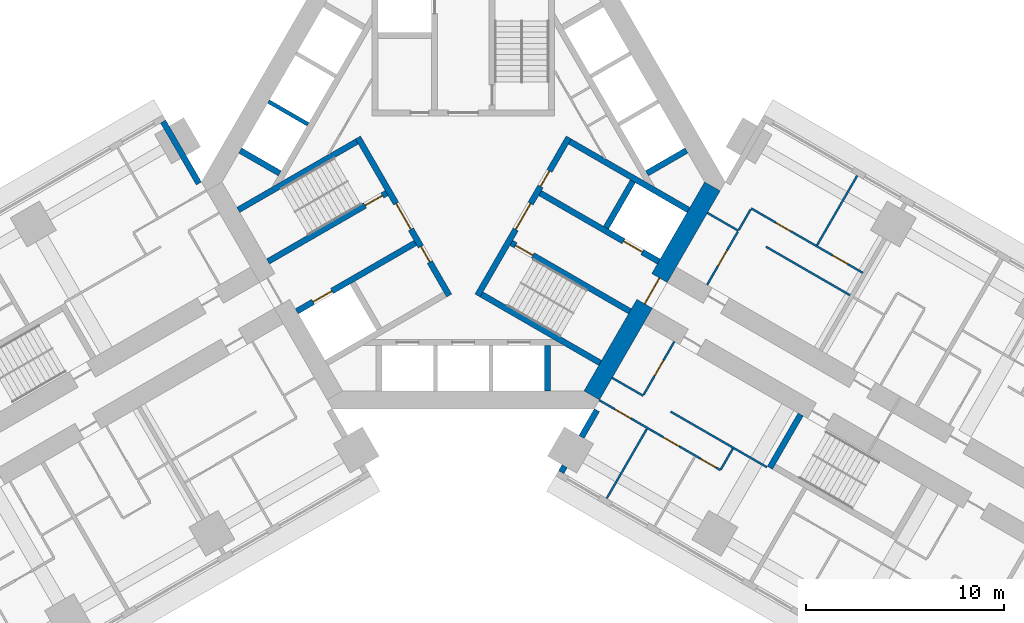
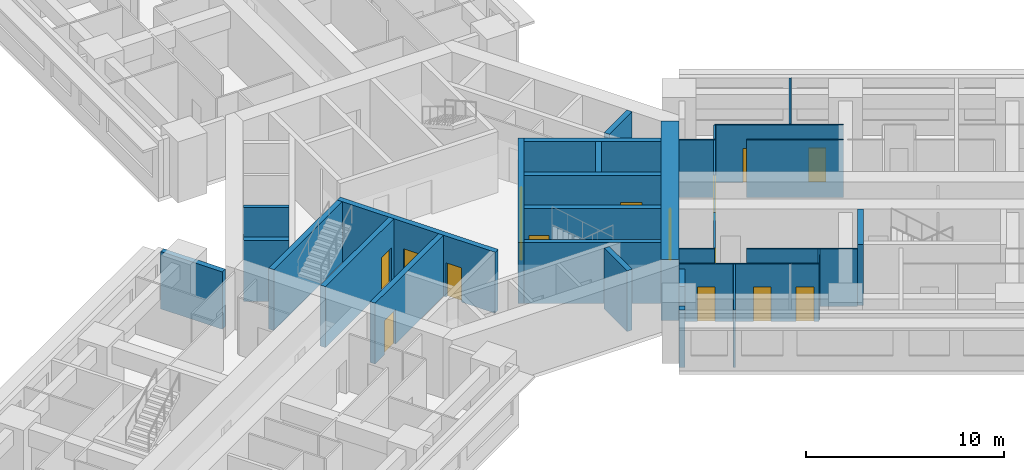
# One storey, part 7 of 16: 31 walls, 16 doors, 16 openings.
"""IFC4 building model written with IfcOpenShell, lengths in metres."""

from ifc_helpers import new_model, si_unit, direction, frame, frame_2d, origin, place, context, subcontext, project, spatial, rectangle, extrude, material, layer, layer_set, type_object, element, fill, save


model = new_model("IFC4")

# Units and contexts
model_context = context("Model", 3, precision=1e-05, world=origin(), true_north=direction((0.0, 1.0)))
body_context = subcontext(model_context, "Body", "Model", "MODEL_VIEW")
ifc_project = project(units=[si_unit("LENGTHUNIT", "METRE"), si_unit("AREAUNIT", "SQUARE_METRE"), si_unit("VOLUMEUNIT", "CUBIC_METRE"), si_unit("PLANEANGLEUNIT", "RADIAN"), si_unit("MASSUNIT", "GRAM", prefix="KILO")], contexts=[model_context])

# Site, building, storey
site_placement = place(None, origin())
site = spatial("IfcSite", under=ifc_project, at=site_placement, CompositionType="ELEMENT")
building_placement = place(site_placement, origin())
building = spatial("IfcBuilding", under=site, at=building_placement, Name="Impinga Residences", CompositionType="ELEMENT")
storey_placement = place(building_placement, frame((0.0, 0.0, 48.5)))
storey = spatial("IfcBuildingStorey", under=building, at=storey_placement, Name="L11", CompositionType="ELEMENT", Elevation=48.5)

# Walls
ifc_material_1 = material(Name="Terracotta rainscreen on blockwork", Category="masonry")
ifc_layer_1 = layer(ifc_material_1, 0.300048828125)
ifc_layer_set_1 = layer_set([ifc_layer_1], Name="EW1 external wall, terracotta rainscreen on blockwork 300")
wall_type_1 = type_object("IfcWallType", Name="EW1 external wall, terracotta rainscreen on blockwork 300", PredefinedType="SOLIDWALL", material=ifc_layer_set_1)
wall_1_placement = place(storey_placement, frame((-15.1298828125, 3.042724609375, 0.0), z_axis=(0.0, 0.0, 1.0), x_axis=(0.500012057535, -0.866018442252, 0.0)))
element("IfcWall", 1, at=wall_1_placement, inside=storey, type_object=wall_type_1, Name="External wall EW1 L11", PredefinedType="SOLIDWALL", context=body_context, shape_type="SweptSolid", body=[
    extrude(rectangle(XDim=3.60009765625, YDim=0.300048828125, at=frame_2d((1.800048828125, 0.0))), origin(), (0.0, 0.0, 1.0), 3.530029296875),
])
wall_2_placement = place(storey_placement, frame((4.929931640625, -14.624267578125, 0.0), z_axis=(0.0, 0.0, 1.0), x_axis=(0.49996389635, 0.866046247233, 0.0)))
element("IfcWall", 2, at=wall_2_placement, inside=storey, type_object=wall_type_1, Name="External wall EW1 L11", PredefinedType="SOLIDWALL", context=body_context, shape_type="SweptSolid", body=[
    extrude(rectangle(XDim=0.35009765625, YDim=0.300048828125, at=frame_2d((0.175048828125, 0.0))), origin(), (0.0, 0.0, 1.0), 3.530029296875),
])
wall_3_placement = place(storey_placement, frame((5.954833984375, -12.848876953125, 0.0), z_axis=(0.0, 0.0, 1.0), x_axis=(0.500086022567, 0.865975732936, 0.0)))
element("IfcWall", 3, at=wall_3_placement, inside=storey, type_object=wall_type_1, Name="External wall EW1 L11", PredefinedType="SOLIDWALL", context=body_context, shape_type="SweptSolid", body=[
    extrude(rectangle(XDim=1.550048828125, YDim=0.300048828125, at=frame_2d((0.77490234375, 0.0))), origin(), (0.0, 0.0, 1.0), 3.530029296875),
])
ifc_material_2 = material(Name="Gypsum board on steel studs", Category="steel")
ifc_layer_2 = layer(ifc_material_2, 0.10009765625)
ifc_layer_set_2 = layer_set([ifc_layer_2], Name="Gypsum board on steel studs")
wall_type_2 = type_object("IfcWallType", Name="IP1 partition 100", PredefinedType="PARTITIONING", material=ifc_layer_set_2)
wall_4_placement = place(storey_placement, frame((12.300048828125, -1.558837890625, 0.0), z_axis=(0.0, 0.0, 1.0), x_axis=(0.866047807691, -0.499961193289, 0.0)))
element("IfcWall", 4, at=wall_4_placement, inside=storey, type_object=wall_type_2, Name="Partition L11-EA1:DIV0", PredefinedType="PARTITIONING", context=body_context, shape_type="SweptSolid", body=[
    extrude(rectangle(XDim=1.800048828125, YDim=0.10009765625, at=frame_2d((0.89990234375, 0.0))), origin(), (0.0, 0.0, 1.0), 3.530029296875),
])
wall_5_placement = place(storey_placement, frame((15.244384765625, -3.2587890625, 0.0), z_axis=(0.0, 0.0, 1.0), x_axis=(0.866036242063, -0.49998122708, 0.0)))
element("IfcWall", 5, at=wall_5_placement, inside=storey, type_object=wall_type_2, Name="Partition L11-EA1:DIV1", PredefinedType="PARTITIONING", context=body_context, shape_type="SweptSolid", body=[
    extrude(rectangle(XDim=4.900146484375, YDim=0.10009765625, at=frame_2d((2.4501953125, 0.0))), origin(), (0.0, 0.0, 1.0), 3.530029296875),
])

# Wall, openings, doors
wall_6_placement = place(storey_placement, frame((14.5087890625, -1.3330078125, 0.0), z_axis=(0.0, 0.0, 1.0), x_axis=(0.866024837091, -0.50000098154, 0.0)))
wall_6 = element("IfcWall", 6, at=wall_6_placement, inside=storey, type_object=wall_type_2, Name="Partition L11-EA1:STRIP", PredefinedType="PARTITIONING", context=body_context, shape_type="SweptSolid", body=[
    extrude(rectangle(XDim=6.5, YDim=0.10009765625, at=frame_2d((3.25, 0.0))), origin(), (0.0, 0.0, 1.0), 3.530029296875),
])
opening_1_placement = place(wall_6_placement, frame((1.425048828125, 0.0, 0.0)))
opening_1 = element("IfcOpeningElement", 7, at=opening_1_placement, cuts=wall_6, Name="Opening D2", PredefinedType="OPENING", context=body_context, shape_type="SweptSolid", body=[
    extrude(rectangle(XDim=0.89990234375, YDim=2.10009765625, at=frame_2d((0.449951171875, 1.050048828125))), frame((0.0, 0.06005859375, 0.0), z_axis=(0.0, -1.0, 0.0), x_axis=(1.0, 0.0, 0.0)), (0.0, 0.0, 1.0), 0.1201171875),
])
opening_2_placement = place(wall_6_placement, frame((4.72509765625, 0.0, 0.0)))
opening_2 = element("IfcOpeningElement", 8, at=opening_2_placement, cuts=wall_6, Name="Opening D2", PredefinedType="OPENING", context=body_context, shape_type="SweptSolid", body=[
    extrude(rectangle(XDim=0.89990234375, YDim=2.10009765625, at=frame_2d((0.449951171875, 1.050048828125))), frame((0.0, 0.06005859375, 0.0), z_axis=(0.0, -1.0, 0.0), x_axis=(1.0, 0.0, 0.0)), (0.0, 0.0, 1.0), 0.1201171875),
])
ifc_material_3 = material(Name="Timber door set", Category="wood")
door_type_1 = type_object("IfcDoorType", Name="D2 internal door 900x2100", OperationType="SINGLE_SWING_LEFT", PredefinedType="DOOR", material=ifc_material_3)
door_1_placement = place(opening_1_placement, origin())
door_1 = element("IfcDoor", 9, at=door_1_placement, inside=storey, type_object=door_type_1, Name="Apartment L11-EA1 room door", OperationType="SINGLE_SWING_LEFT", OverallHeight=2.10009765625, OverallWidth=0.89990234375, PredefinedType="DOOR", context=body_context, shape_type="SweptSolid", body=[
    extrude(rectangle(XDim=0.89990234375, YDim=2.10009765625, at=frame_2d((0.449951171875, 1.050048828125))), frame((0.0, 0.02490234375, 0.0), z_axis=(0.0, -1.0, 0.0), x_axis=(1.0, 0.0, 0.0)), (0.0, 0.0, 1.0), 0.050048828125),
])
fill(opening_1, door_1)
door_2_placement = place(opening_2_placement, origin())
door_2 = element("IfcDoor", 10, at=door_2_placement, inside=storey, type_object=door_type_1, Name="Apartment L11-EA1 room door", OperationType="SINGLE_SWING_RIGHT", OverallHeight=2.10009765625, OverallWidth=0.89990234375, PredefinedType="DOOR", context=body_context, shape_type="SweptSolid", body=[
    extrude(rectangle(XDim=0.89990234375, YDim=2.10009765625, at=frame_2d((0.449951171875, 1.050048828125))), frame((0.0, 0.02490234375, 0.0), z_axis=(0.0, -1.0, 0.0), x_axis=(1.0, 0.0, 0.0)), (0.0, 0.0, 1.0), 0.050048828125),
])
fill(opening_2, door_2)

# Wall
wall_7_placement = place(storey_placement, frame((13.8837890625, -2.41552734375, 0.0), z_axis=(0.0, 0.0, 1.0), x_axis=(0.500033551112, 0.866006032174, 0.0)))
element("IfcWall", 11, at=wall_7_placement, inside=storey, type_object=wall_type_2, Name="Partition L11-EA1:SE0", PredefinedType="PARTITIONING", context=body_context, shape_type="SweptSolid", body=[
    extrude(rectangle(XDim=1.2001953125, YDim=0.10009765625, at=frame_2d((0.60009765625, 0.0))), origin(), (0.0, 0.0, 1.0), 3.530029296875),
])

# Wall, opening, door
wall_8_placement = place(storey_placement, frame((12.283935546875, -5.186767578125, 0.0), z_axis=(0.0, 0.0, 1.0), x_axis=(0.499967891604, 0.866043940782, 0.0)))
wall_8 = element("IfcWall", 12, at=wall_8_placement, inside=storey, type_object=wall_type_2, Name="Partition L11-EA1:IB1", PredefinedType="PARTITIONING", context=body_context, shape_type="SweptSolid", body=[
    extrude(rectangle(XDim=3.099853515625, YDim=0.10009765625, at=frame_2d((1.5498046875, 0.0))), origin(), (0.0, 0.0, 1.0), 3.530029296875),
])
opening_3_placement = place(wall_8_placement, frame((1.10009765625, 0.0, 0.0)))
opening_3 = element("IfcOpeningElement", 13, at=opening_3_placement, cuts=wall_8, Name="Opening D2", PredefinedType="OPENING", context=body_context, shape_type="SweptSolid", body=[
    extrude(rectangle(XDim=0.89990234375, YDim=2.10009765625, at=frame_2d((0.449951171875, 1.050048828125))), frame((0.0, 0.06005859375, 0.0), z_axis=(0.0, -1.0, 0.0), x_axis=(1.0, 0.0, 0.0)), (0.0, 0.0, 1.0), 0.1201171875),
])
door_3_placement = place(opening_3_placement, origin())
door_3 = element("IfcDoor", 14, at=door_3_placement, inside=storey, type_object=door_type_1, Name="Apartment L11-EA1 bathroom door", OperationType="SINGLE_SWING_LEFT", OverallHeight=2.10009765625, OverallWidth=0.89990234375, PredefinedType="DOOR", context=body_context, shape_type="SweptSolid", body=[
    extrude(rectangle(XDim=0.89990234375, YDim=2.10009765625, at=frame_2d((0.449951171875, 1.050048828125))), frame((0.0, 0.02490234375, 0.0), z_axis=(0.0, -1.0, 0.0), x_axis=(1.0, 0.0, 0.0)), (0.0, 0.0, 1.0), 0.050048828125),
])
fill(opening_3, door_3)

# Walls
wall_9_placement = place(storey_placement, frame((17.82470703125, -3.189697265625, 0.0), z_axis=(0.0, 0.0, 1.0), x_axis=(0.500035537042, 0.866004885491, 0.0)))
element("IfcWall", 15, at=wall_9_placement, inside=storey, type_object=wall_type_2, Name="Partition L11-EA1:OB1", PredefinedType="PARTITIONING", context=body_context, shape_type="SweptSolid", body=[
    extrude(rectangle(XDim=4.050048828125, YDim=0.10009765625, at=frame_2d((2.02490234375, 0.0))), origin(), (0.0, 0.0, 1.0), 3.530029296875),
])
wall_10_placement = place(storey_placement, frame((7.5, -9.872802734375, 0.0), z_axis=(0.0, 0.0, 1.0), x_axis=(0.866047807691, -0.499961193289, 0.0)))
element("IfcWall", 16, at=wall_10_placement, inside=storey, type_object=wall_type_2, Name="Partition L11-EF1:DIV0", PredefinedType="PARTITIONING", context=body_context, shape_type="SweptSolid", body=[
    extrude(rectangle(XDim=1.800048828125, YDim=0.10009765625, at=frame_2d((0.89990234375, 0.0))), origin(), (0.0, 0.0, 1.0), 3.530029296875),
])
wall_11_placement = place(storey_placement, frame((10.444580078125, -11.57275390625, 0.0), z_axis=(0.0, 0.0, 1.0), x_axis=(0.866015695474, -0.500016814911, 0.0)))
element("IfcWall", 17, at=wall_11_placement, inside=storey, type_object=wall_type_2, Name="Partition L11-EF1:DIV1", PredefinedType="PARTITIONING", context=body_context, shape_type="SweptSolid", body=[
    extrude(rectangle(XDim=5.599853515625, YDim=0.10009765625, at=frame_2d((2.7998046875, 0.0))), origin(), (0.0, 0.0, 1.0), 3.530029296875),
])

# Wall, openings, doors
wall_12_placement = place(storey_placement, frame((6.85009765625, -10.99853515625, 0.0), z_axis=(0.0, 0.0, 1.0), x_axis=(0.866031034943, -0.499990246421, 0.0)))
wall_12 = element("IfcWall", 18, at=wall_12_placement, inside=storey, type_object=wall_type_2, Name="Partition L11-EF1:STRIP", PredefinedType="PARTITIONING", context=body_context, shape_type="SweptSolid", body=[
    extrude(rectangle(XDim=7.050048828125, YDim=0.10009765625, at=frame_2d((3.52490234375, 0.0))), origin(), (0.0, 0.0, 1.0), 3.530029296875),
])
opening_4_placement = place(wall_12_placement, frame((0.925048828125, 0.0, 0.0)))
opening_4 = element("IfcOpeningElement", 19, at=opening_4_placement, cuts=wall_12, Name="Opening D2", PredefinedType="OPENING", context=body_context, shape_type="SweptSolid", body=[
    extrude(rectangle(XDim=0.89990234375, YDim=2.10009765625, at=frame_2d((0.449951171875, 1.050048828125))), frame((0.0, 0.06005859375, 0.0), z_axis=(0.0, -1.0, 0.0), x_axis=(1.0, 0.0, 0.0)), (0.0, 0.0, 1.0), 0.1201171875),
])
opening_5_placement = place(wall_12_placement, frame((3.75, 0.0, 0.0)))
opening_5 = element("IfcOpeningElement", 20, at=opening_5_placement, cuts=wall_12, Name="Opening D2", PredefinedType="OPENING", context=body_context, shape_type="SweptSolid", body=[
    extrude(rectangle(XDim=0.89990234375, YDim=2.10009765625, at=frame_2d((0.449951171875, 1.050048828125))), frame((0.0, 0.06005859375, 0.0), z_axis=(0.0, -1.0, 0.0), x_axis=(1.0, 0.0, 0.0)), (0.0, 0.0, 1.0), 0.1201171875),
])
opening_6_placement = place(wall_12_placement, frame((5.89990234375, 0.0, 0.0)))
opening_6 = element("IfcOpeningElement", 21, at=opening_6_placement, cuts=wall_12, Name="Opening D2", PredefinedType="OPENING", context=body_context, shape_type="SweptSolid", body=[
    extrude(rectangle(XDim=0.89990234375, YDim=2.10009765625, at=frame_2d((0.449951171875, 1.050048828125))), frame((0.0, 0.06005859375, 0.0), z_axis=(0.0, -1.0, 0.0), x_axis=(1.0, 0.0, 0.0)), (0.0, 0.0, 1.0), 0.1201171875),
])
door_4_placement = place(opening_4_placement, origin())
door_4 = element("IfcDoor", 22, at=door_4_placement, inside=storey, type_object=door_type_1, Name="Apartment L11-EF1 room door", OperationType="SINGLE_SWING_LEFT", OverallHeight=2.10009765625, OverallWidth=0.89990234375, PredefinedType="DOOR", context=body_context, shape_type="SweptSolid", body=[
    extrude(rectangle(XDim=0.89990234375, YDim=2.10009765625, at=frame_2d((0.449951171875, 1.050048828125))), frame((0.0, 0.02490234375, 0.0), z_axis=(0.0, -1.0, 0.0), x_axis=(1.0, 0.0, 0.0)), (0.0, 0.0, 1.0), 0.050048828125),
])
fill(opening_4, door_4)
door_5_placement = place(opening_5_placement, origin())
door_5 = element("IfcDoor", 23, at=door_5_placement, inside=storey, type_object=door_type_1, Name="Apartment L11-EF1 room door", OperationType="SINGLE_SWING_RIGHT", OverallHeight=2.10009765625, OverallWidth=0.89990234375, PredefinedType="DOOR", context=body_context, shape_type="SweptSolid", body=[
    extrude(rectangle(XDim=0.89990234375, YDim=2.10009765625, at=frame_2d((0.449951171875, 1.050048828125))), frame((0.0, 0.02490234375, 0.0), z_axis=(0.0, -1.0, 0.0), x_axis=(1.0, 0.0, 0.0)), (0.0, 0.0, 1.0), 0.050048828125),
])
fill(opening_5, door_5)
door_6_placement = place(opening_6_placement, origin())
door_6 = element("IfcDoor", 24, at=door_6_placement, inside=storey, type_object=door_type_1, Name="Apartment L11-EF1 room door", OperationType="SINGLE_SWING_RIGHT", OverallHeight=2.10009765625, OverallWidth=0.89990234375, PredefinedType="DOOR", context=body_context, shape_type="SweptSolid", body=[
    extrude(rectangle(XDim=0.89990234375, YDim=2.10009765625, at=frame_2d((0.449951171875, 1.050048828125))), frame((0.0, 0.02490234375, 0.0), z_axis=(0.0, -1.0, 0.0), x_axis=(1.0, 0.0, 0.0)), (0.0, 0.0, 1.0), 0.050048828125),
])
fill(opening_6, door_6)

# Wall
wall_13_placement = place(storey_placement, frame((13.58056640625, -13.44091796875, 0.0), z_axis=(0.0, 0.0, 1.0), x_axis=(-0.500033551112, -0.866006032174, 0.0)))
element("IfcWall", 25, at=wall_13_placement, inside=storey, type_object=wall_type_2, Name="Partition L11-EF1:SE1", PredefinedType="PARTITIONING", context=body_context, shape_type="SweptSolid", body=[
    extrude(rectangle(XDim=1.2001953125, YDim=0.10009765625, at=frame_2d((0.60009765625, 0.0))), origin(), (0.0, 0.0, 1.0), 3.530029296875),
])

# Wall, opening, door
wall_14_placement = place(storey_placement, frame((10.6337890625, -8.044677734375, 0.0), z_axis=(0.0, 0.0, 1.0), x_axis=(-0.49999285859, -0.86602952684, 0.0)))
wall_14 = element("IfcWall", 26, at=wall_14_placement, inside=storey, type_object=wall_type_2, Name="Partition L11-EF1:IB1", PredefinedType="PARTITIONING", context=body_context, shape_type="SweptSolid", body=[
    extrude(rectangle(XDim=3.10009765625, YDim=0.10009765625, at=frame_2d((1.550048828125, 0.0))), origin(), (0.0, 0.0, 1.0), 3.530029296875),
])
opening_7_placement = place(wall_14_placement, frame((1.10009765625, 0.0, 0.0)))
opening_7 = element("IfcOpeningElement", 27, at=opening_7_placement, cuts=wall_14, Name="Opening D2", PredefinedType="OPENING", context=body_context, shape_type="SweptSolid", body=[
    extrude(rectangle(XDim=0.89990234375, YDim=2.10009765625, at=frame_2d((0.449951171875, 1.050048828125))), frame((0.0, 0.06005859375, 0.0), z_axis=(0.0, -1.0, 0.0), x_axis=(1.0, 0.0, 0.0)), (0.0, 0.0, 1.0), 0.1201171875),
])
door_7_placement = place(opening_7_placement, origin())
door_7 = element("IfcDoor", 28, at=door_7_placement, inside=storey, type_object=door_type_1, Name="Apartment L11-EF1 bathroom door", OperationType="SINGLE_SWING_LEFT", OverallHeight=2.10009765625, OverallWidth=0.89990234375, PredefinedType="DOOR", context=body_context, shape_type="SweptSolid", body=[
    extrude(rectangle(XDim=0.89990234375, YDim=2.10009765625, at=frame_2d((0.449951171875, 1.050048828125))), frame((0.0, 0.02490234375, 0.0), z_axis=(0.0, -1.0, 0.0), x_axis=(1.0, 0.0, 0.0)), (0.0, 0.0, 1.0), 0.050048828125),
])
fill(opening_7, door_7)

# Walls
wall_15_placement = place(storey_placement, frame((9.249755859375, -12.44189453125, 0.0), z_axis=(0.0, 0.0, 1.0), x_axis=(-0.499990325971, -0.866030989016, 0.0)))
element("IfcWall", 29, at=wall_15_placement, inside=storey, type_object=wall_type_2, Name="Partition L11-EF1:OB1", PredefinedType="PARTITIONING", context=body_context, shape_type="SweptSolid", body=[
    extrude(rectangle(XDim=4.0498046875, YDim=0.10009765625, at=frame_2d((2.02490234375, 0.0))), origin(), (0.0, 0.0, 1.0), 3.530029296875),
])
ifc_material_4 = material(Name="Concrete C60/75", Category="concrete")
ifc_layer_3 = layer(ifc_material_4, 0.300048828125)
ifc_layer_set_3 = layer_set([ifc_layer_3], Name="Concrete C60/75")
wall_type_3 = type_object("IfcWallType", Name="SE1 wing stair enclosure wall 300", PredefinedType="SOLIDWALL", material=ifc_layer_set_3)
wall_16_placement = place(storey_placement, frame((16.9990234375, -11.7197265625, 0.0), z_axis=(0.0, 0.0, 1.0), x_axis=(-0.499967891604, -0.866043940782, 0.0)))
element("IfcWall", 30, at=wall_16_placement, inside=storey, type_object=wall_type_3, Name="Stair enclosure wall SE1 E END0 L11", PredefinedType="SOLIDWALL", context=body_context, shape_type="SweptSolid", body=[
    extrude(rectangle(XDim=3.099853515625, YDim=0.300048828125, at=frame_2d((1.5498046875, 0.0))), origin(), (0.0, 0.0, 1.0), 3.75),
])

# Wall, opening, door
ifc_material_5 = material(Name="Concrete C70/85", Category="concrete")
ifc_layer_4 = layer(ifc_material_5, 0.89990234375)
ifc_layer_set_4 = layer_set([ifc_layer_4], Name="Concrete C70/85")
wall_type_4 = type_object("IfcWallType", Name="SW1 core wall 900", PredefinedType="SHEAR", material=ifc_layer_set_4)
wall_17_placement = place(storey_placement, frame((12.550537109375, -0.22509765625, 0.0), z_axis=(0.0, 0.0, 1.0), x_axis=(-0.499997612506, -0.8660267822, 0.0)))
wall_17 = element("IfcWall", 31, at=wall_17_placement, inside=storey, type_object=wall_type_4, Name="Core wall SW1 E:FACE L11", PredefinedType="SHEAR", context=body_context, shape_type="SweptSolid", body=[
    extrude(rectangle(XDim=12.16064453125, YDim=0.89990234375, at=frame_2d((6.080322265625, 0.0))), origin(), (0.0, 0.0, 1.0), 3.75),
])
opening_8_placement = place(wall_17_placement, frame((5.330322265625, 0.0, 0.0)))
opening_8 = element("IfcOpeningElement", 32, at=opening_8_placement, cuts=wall_17, Name="Opening D4", PredefinedType="OPENING", context=body_context, shape_type="SweptSolid", body=[
    extrude(rectangle(XDim=1.5, YDim=2.10009765625, at=frame_2d((0.75, 1.050048828125))), frame((0.0, 0.4599609375, 0.0), z_axis=(0.0, -1.0, 0.0), x_axis=(1.0, 0.0, 0.0)), (0.0, 0.0, 1.0), 0.919921875),
])
door_type_2 = type_object("IfcDoorType", Name="D4 lobby door pair 1500x2100", OperationType="DOUBLE_DOOR_DOUBLE_SWING", PredefinedType="DOOR", material=ifc_material_3)
door_8_placement = place(opening_8_placement, origin())
door_8 = element("IfcDoor", 33, at=door_8_placement, inside=storey, type_object=door_type_2, Name="Lobby door E", OperationType="DOUBLE_DOOR_DOUBLE_SWING", OverallHeight=2.10009765625, OverallWidth=1.5, PredefinedType="DOOR", context=body_context, shape_type="SweptSolid", body=[
    extrude(rectangle(XDim=1.5, YDim=2.10009765625, at=frame_2d((0.75, 1.050048828125))), frame((0.0, 0.02490234375, 0.0), z_axis=(0.0, -1.0, 0.0), x_axis=(1.0, 0.0, 0.0)), (0.0, 0.0, 1.0), 0.050048828125),
])
fill(opening_8, door_8)

# Wall, openings, doors
ifc_layer_5 = layer(ifc_material_5, 0.300048828125)
ifc_layer_set_5 = layer_set([ifc_layer_5], Name="Concrete C70/85")
wall_type_5 = type_object("IfcWallType", Name="SW5 core inner wall, stairs, shafts and lobbies 300", PredefinedType="SHEAR", material=ifc_layer_set_5)
wall_18_placement = place(storey_placement, frame((-0.7138671875, -5.7236328125, 0.0), z_axis=(0.0, 0.0, 1.0), x_axis=(-0.499995050369, 0.866028261437, 0.0)))
wall_18 = element("IfcWall", 34, at=wall_18_placement, inside=storey, type_object=wall_type_5, Name="Core wall SW5 W:ZONE L11", PredefinedType="SHEAR", context=body_context, shape_type="SweptSolid", body=[
    extrude(rectangle(XDim=9.19970703125, YDim=0.300048828125, at=frame_2d((4.599853515625, 0.0))), origin(), (0.0, 0.0, 1.0), 3.75),
])
opening_9_placement = place(wall_18_placement, frame((3.85009765625, 0.0, 0.0)))
opening_9 = element("IfcOpeningElement", 35, at=opening_9_placement, cuts=wall_18, Name="Opening D4", PredefinedType="OPENING", context=body_context, shape_type="SweptSolid", body=[
    extrude(rectangle(XDim=1.5, YDim=2.10009765625, at=frame_2d((0.75, 1.050048828125))), frame((0.0, 0.159912109375, 0.0), z_axis=(0.0, -1.0, 0.0), x_axis=(1.0, 0.0, 0.0)), (0.0, 0.0, 1.0), 0.320068359375),
])
opening_10_placement = place(wall_18_placement, frame((1.949951171875, 0.0, 0.0)))
opening_10 = element("IfcOpeningElement", 36, at=opening_10_placement, cuts=wall_18, Name="Opening D6", PredefinedType="OPENING", context=body_context, shape_type="SweptSolid", body=[
    extrude(rectangle(XDim=0.89990234375, YDim=2.10009765625, at=frame_2d((0.449951171875, 1.050048828125))), frame((0.0, 0.159912109375, 0.0), z_axis=(0.0, -1.0, 0.0), x_axis=(1.0, 0.0, 0.0)), (0.0, 0.0, 1.0), 0.320068359375),
])
door_9_placement = place(opening_9_placement, origin())
door_9 = element("IfcDoor", 37, at=door_9_placement, inside=storey, type_object=door_type_2, Name="Firefighting lobby door W", OperationType="DOUBLE_DOOR_DOUBLE_SWING", OverallHeight=2.10009765625, OverallWidth=1.5, PredefinedType="DOOR", context=body_context, shape_type="SweptSolid", body=[
    extrude(rectangle(XDim=1.5, YDim=2.10009765625, at=frame_2d((0.75, 1.050048828125))), frame((0.0, 0.02490234375, 0.0), z_axis=(0.0, -1.0, 0.0), x_axis=(1.0, 0.0, 0.0)), (0.0, 0.0, 1.0), 0.050048828125),
])
fill(opening_9, door_9)
door_type_3 = type_object("IfcDoorType", Name="D6 riser and store door 900x2100", OperationType="SINGLE_SWING_LEFT", PredefinedType="DOOR", material=ifc_material_3)
door_10_placement = place(opening_10_placement, origin())
door_10 = element("IfcDoor", 38, at=door_10_placement, inside=storey, type_object=door_type_3, Name="Riser door W", OperationType="SINGLE_SWING_LEFT", OverallHeight=2.10009765625, OverallWidth=0.89990234375, PredefinedType="DOOR", context=body_context, shape_type="SweptSolid", body=[
    extrude(rectangle(XDim=0.89990234375, YDim=2.10009765625, at=frame_2d((0.449951171875, 1.050048828125))), frame((0.0, 0.02490234375, 0.0), z_axis=(0.0, -1.0, 0.0), x_axis=(1.0, 0.0, 0.0)), (0.0, 0.0, 1.0), 0.050048828125),
])
fill(opening_10, door_10)

# Wall, opening, door
wall_19_placement = place(storey_placement, frame((-3.86865234375, -0.559326171875, 0.0), z_axis=(0.0, 0.0, 1.0), x_axis=(-0.86602711848, -0.499997030048, 0.0)))
wall_19 = element("IfcWall", 39, at=wall_19_placement, inside=storey, type_object=wall_type_5, Name="Core wall SW5 W:ST-IN L11", PredefinedType="SHEAR", context=body_context, shape_type="SweptSolid", body=[
    extrude(rectangle(XDim=6.9013671875, YDim=0.300048828125, at=frame_2d((3.45068359375, 0.0))), origin(), (0.0, 0.0, 1.0), 3.75),
])
opening_11_placement = place(wall_19_placement, frame((0.25, 0.0, 0.0)))
opening_11 = element("IfcOpeningElement", 40, at=opening_11_placement, cuts=wall_19, Name="Opening D5", PredefinedType="OPENING", context=body_context, shape_type="SweptSolid", body=[
    extrude(rectangle(XDim=1.0, YDim=2.10009765625, at=frame_2d((0.5, 1.050048828125))), frame((0.0, 0.159912109375, 0.0), z_axis=(0.0, -1.0, 0.0), x_axis=(1.0, 0.0, 0.0)), (0.0, 0.0, 1.0), 0.320068359375),
])
door_type_4 = type_object("IfcDoorType", Name="D5 stair door 1000x2100", OperationType="SINGLE_SWING_LEFT", PredefinedType="DOOR", material=ifc_material_3)
door_11_placement = place(opening_11_placement, origin())
door_11 = element("IfcDoor", 41, at=door_11_placement, inside=storey, type_object=door_type_4, Name="Stair door W", OperationType="SINGLE_SWING_LEFT", OverallHeight=2.10009765625, OverallWidth=1.0, PredefinedType="DOOR", context=body_context, shape_type="SweptSolid", body=[
    extrude(rectangle(XDim=1.0, YDim=2.10009765625, at=frame_2d((0.5, 1.050048828125))), frame((0.0, 0.02490234375, 0.0), z_axis=(0.0, -1.0, 0.0), x_axis=(1.0, 0.0, 0.0)), (0.0, 0.0, 1.0), 0.050048828125),
])
fill(opening_11, door_11)

# Wall
wall_20_placement = place(storey_placement, frame((-5.36865234375, 2.038818359375, 0.0), z_axis=(0.0, 0.0, 1.0), x_axis=(-0.86602711848, -0.499997030048, 0.0)))
element("IfcWall", 42, at=wall_20_placement, inside=storey, type_object=wall_type_5, Name="Core wall SW5 W:ST-OUT L11", PredefinedType="SHEAR", context=body_context, shape_type="SweptSolid", body=[
    extrude(rectangle(XDim=6.9013671875, YDim=0.300048828125, at=frame_2d((3.45068359375, 0.0))), origin(), (0.0, 0.0, 1.0), 3.75),
])

# Wall, opening, door
wall_21_placement = place(storey_placement, frame((-2.418701171875, -3.07080078125, 0.0), z_axis=(0.0, 0.0, 1.0), x_axis=(-0.86602711848, -0.499997030048, 0.0)))
wall_21 = element("IfcWall", 43, at=wall_21_placement, inside=storey, type_object=wall_type_5, Name="Core wall SW5 W:FF-IN L11", PredefinedType="SHEAR", context=body_context, shape_type="SweptSolid", body=[
    extrude(rectangle(XDim=6.9013671875, YDim=0.300048828125, at=frame_2d((3.45068359375, 0.0))), origin(), (0.0, 0.0, 1.0), 3.75),
])
opening_12_placement = place(wall_21_placement, frame((4.85009765625, 0.0, 0.0)))
opening_12 = element("IfcOpeningElement", 44, at=opening_12_placement, cuts=wall_21, Name="Opening LD2", PredefinedType="OPENING", context=body_context, shape_type="SweptSolid", body=[
    extrude(rectangle(XDim=1.10009765625, YDim=2.10009765625, at=frame_2d((0.550048828125, 1.050048828125))), frame((0.0, 0.159912109375, 0.0), z_axis=(0.0, -1.0, 0.0), x_axis=(1.0, 0.0, 0.0)), (0.0, 0.0, 1.0), 0.320068359375),
])
ifc_material_6 = material(Name="Steel lift landing door", Category="steel")
door_type_5 = type_object("IfcDoorType", Name="LD2 firefighting lift landing door 1100x2100", OperationType="DOUBLE_DOOR_SLIDING", PredefinedType="DOOR", material=ifc_material_6)
door_12_placement = place(opening_12_placement, origin())
door_12 = element("IfcDoor", 45, at=door_12_placement, inside=storey, type_object=door_type_5, Name="Firefighting lift landing door F2", OperationType="DOUBLE_DOOR_SLIDING", OverallHeight=2.10009765625, OverallWidth=1.10009765625, PredefinedType="DOOR", context=body_context, shape_type="SweptSolid", body=[
    extrude(rectangle(XDim=1.10009765625, YDim=2.10009765625, at=frame_2d((0.550048828125, 1.050048828125))), frame((0.0, 0.02490234375, 0.0), z_axis=(0.0, -1.0, 0.0), x_axis=(1.0, 0.0, 0.0)), (0.0, 0.0, 1.0), 0.050048828125),
])
fill(opening_12, door_12)

# Wall, openings, doors
wall_22_placement = place(storey_placement, frame((5.313720703125, 2.24365234375, 0.0), z_axis=(0.0, 0.0, 1.0), x_axis=(-0.499995050369, -0.866028261437, 0.0)))
wall_22 = element("IfcWall", 46, at=wall_22_placement, inside=storey, type_object=wall_type_5, Name="Core wall SW5 E:ZONE L11", PredefinedType="SHEAR", context=body_context, shape_type="SweptSolid", body=[
    extrude(rectangle(XDim=9.19970703125, YDim=0.300048828125, at=frame_2d((4.599853515625, 0.0))), origin(), (0.0, 0.0, 1.0), 3.75),
])
opening_13_placement = place(wall_22_placement, frame((3.85009765625, 0.0, 0.0)))
opening_13 = element("IfcOpeningElement", 47, at=opening_13_placement, cuts=wall_22, Name="Opening D4", PredefinedType="OPENING", context=body_context, shape_type="SweptSolid", body=[
    extrude(rectangle(XDim=1.5, YDim=2.10009765625, at=frame_2d((0.75, 1.050048828125))), frame((0.0, 0.159912109375, 0.0), z_axis=(0.0, -1.0, 0.0), x_axis=(1.0, 0.0, 0.0)), (0.0, 0.0, 1.0), 0.320068359375),
])
opening_14_placement = place(wall_22_placement, frame((1.949951171875, 0.0, 0.0)))
opening_14 = element("IfcOpeningElement", 48, at=opening_14_placement, cuts=wall_22, Name="Opening D6", PredefinedType="OPENING", context=body_context, shape_type="SweptSolid", body=[
    extrude(rectangle(XDim=0.89990234375, YDim=2.10009765625, at=frame_2d((0.449951171875, 1.050048828125))), frame((0.0, 0.159912109375, 0.0), z_axis=(0.0, -1.0, 0.0), x_axis=(1.0, 0.0, 0.0)), (0.0, 0.0, 1.0), 0.320068359375),
])
door_13_placement = place(opening_13_placement, origin())
door_13 = element("IfcDoor", 49, at=door_13_placement, inside=storey, type_object=door_type_2, Name="Firefighting lobby door E", OperationType="DOUBLE_DOOR_DOUBLE_SWING", OverallHeight=2.10009765625, OverallWidth=1.5, PredefinedType="DOOR", context=body_context, shape_type="SweptSolid", body=[
    extrude(rectangle(XDim=1.5, YDim=2.10009765625, at=frame_2d((0.75, 1.050048828125))), frame((0.0, 0.02490234375, 0.0), z_axis=(0.0, -1.0, 0.0), x_axis=(1.0, 0.0, 0.0)), (0.0, 0.0, 1.0), 0.050048828125),
])
fill(opening_13, door_13)
door_14_placement = place(opening_14_placement, origin())
door_14 = element("IfcDoor", 50, at=door_14_placement, inside=storey, type_object=door_type_3, Name="Riser door E", OperationType="SINGLE_SWING_LEFT", OverallHeight=2.10009765625, OverallWidth=0.89990234375, PredefinedType="DOOR", context=body_context, shape_type="SweptSolid", body=[
    extrude(rectangle(XDim=0.89990234375, YDim=2.10009765625, at=frame_2d((0.449951171875, 1.050048828125))), frame((0.0, 0.02490234375, 0.0), z_axis=(0.0, -1.0, 0.0), x_axis=(1.0, 0.0, 0.0)), (0.0, 0.0, 1.0), 0.050048828125),
])
fill(opening_14, door_14)

# Wall, opening, door
wall_23_placement = place(storey_placement, frame((2.418701171875, -3.07080078125, 0.0), z_axis=(0.0, 0.0, 1.0), x_axis=(0.86602711848, -0.499997030048, 0.0)))
wall_23 = element("IfcWall", 51, at=wall_23_placement, inside=storey, type_object=wall_type_5, Name="Core wall SW5 E:ST-IN L11", PredefinedType="SHEAR", context=body_context, shape_type="SweptSolid", body=[
    extrude(rectangle(XDim=6.9013671875, YDim=0.300048828125, at=frame_2d((3.45068359375, 0.0))), origin(), (0.0, 0.0, 1.0), 3.75),
])
opening_15_placement = place(wall_23_placement, frame((0.25, 0.0, 0.0)))
opening_15 = element("IfcOpeningElement", 52, at=opening_15_placement, cuts=wall_23, Name="Opening D5", PredefinedType="OPENING", context=body_context, shape_type="SweptSolid", body=[
    extrude(rectangle(XDim=1.0, YDim=2.10009765625, at=frame_2d((0.5, 1.050048828125))), frame((0.0, 0.159912109375, 0.0), z_axis=(0.0, -1.0, 0.0), x_axis=(1.0, 0.0, 0.0)), (0.0, 0.0, 1.0), 0.320068359375),
])
door_15_placement = place(opening_15_placement, origin())
door_15 = element("IfcDoor", 53, at=door_15_placement, inside=storey, type_object=door_type_4, Name="Stair door E", OperationType="SINGLE_SWING_LEFT", OverallHeight=2.10009765625, OverallWidth=1.0, PredefinedType="DOOR", context=body_context, shape_type="SweptSolid", body=[
    extrude(rectangle(XDim=1.0, YDim=2.10009765625, at=frame_2d((0.5, 1.050048828125))), frame((0.0, 0.02490234375, 0.0), z_axis=(0.0, -1.0, 0.0), x_axis=(1.0, 0.0, 0.0)), (0.0, 0.0, 1.0), 0.050048828125),
])
fill(opening_15, door_15)

# Wall
wall_24_placement = place(storey_placement, frame((0.918701171875, -5.668701171875, 0.0), z_axis=(0.0, 0.0, 1.0), x_axis=(0.866011800373, -0.500023561059, 0.0)))
element("IfcWall", 54, at=wall_24_placement, inside=storey, type_object=wall_type_5, Name="Core wall SW5 E:ST-OUT L11", PredefinedType="SHEAR", context=body_context, shape_type="SweptSolid", body=[
    extrude(rectangle(XDim=6.901611328125, YDim=0.300048828125, at=frame_2d((3.45068359375, 0.0))), origin(), (0.0, 0.0, 1.0), 3.75),
])

# Wall, opening, door
wall_25_placement = place(storey_placement, frame((3.86865234375, -0.559326171875, 0.0), z_axis=(0.0, 0.0, 1.0), x_axis=(0.86602711848, -0.499997030048, 0.0)))
wall_25 = element("IfcWall", 55, at=wall_25_placement, inside=storey, type_object=wall_type_5, Name="Core wall SW5 E:FF-IN L11", PredefinedType="SHEAR", context=body_context, shape_type="SweptSolid", body=[
    extrude(rectangle(XDim=6.9013671875, YDim=0.300048828125, at=frame_2d((3.45068359375, 0.0))), origin(), (0.0, 0.0, 1.0), 3.75),
])
opening_16_placement = place(wall_25_placement, frame((4.85009765625, 0.0, 0.0)))
opening_16 = element("IfcOpeningElement", 56, at=opening_16_placement, cuts=wall_25, Name="Opening LD2", PredefinedType="OPENING", context=body_context, shape_type="SweptSolid", body=[
    extrude(rectangle(XDim=1.10009765625, YDim=2.10009765625, at=frame_2d((0.550048828125, 1.050048828125))), frame((0.0, 0.159912109375, 0.0), z_axis=(0.0, -1.0, 0.0), x_axis=(1.0, 0.0, 0.0)), (0.0, 0.0, 1.0), 0.320068359375),
])
door_16_placement = place(opening_16_placement, origin())
door_16 = element("IfcDoor", 57, at=door_16_placement, inside=storey, type_object=door_type_5, Name="Firefighting lift landing door F3", OperationType="DOUBLE_DOOR_SLIDING", OverallHeight=2.10009765625, OverallWidth=1.10009765625, PredefinedType="DOOR", context=body_context, shape_type="SweptSolid", body=[
    extrude(rectangle(XDim=1.10009765625, YDim=2.10009765625, at=frame_2d((0.550048828125, 1.050048828125))), frame((0.0, 0.02490234375, 0.0), z_axis=(0.0, -1.0, 0.0), x_axis=(1.0, 0.0, 0.0)), (0.0, 0.0, 1.0), 0.050048828125),
])
fill(opening_16, door_16)

# Walls
wall_26_placement = place(storey_placement, frame((5.36865234375, 2.038818359375, 0.0), z_axis=(0.0, 0.0, 1.0), x_axis=(0.86602711848, -0.499997030048, 0.0)))
element("IfcWall", 58, at=wall_26_placement, inside=storey, type_object=wall_type_5, Name="Core wall SW5 E:FF-OUT L11", PredefinedType="SHEAR", context=body_context, shape_type="SweptSolid", body=[
    extrude(rectangle(XDim=6.9013671875, YDim=0.300048828125, at=frame_2d((3.45068359375, 0.0))), origin(), (0.0, 0.0, 1.0), 3.75),
])
wall_27_placement = place(storey_placement, frame((8.541259765625, 0.033935546875, 0.0), z_axis=(0.0, 0.0, 1.0), x_axis=(-0.50000943426, -0.866019956843, 0.0)))
element("IfcWall", 59, at=wall_27_placement, inside=storey, type_object=wall_type_5, Name="Core wall SW5 E:FF-RS L11", PredefinedType="SHEAR", context=body_context, shape_type="SweptSolid", body=[
    extrude(rectangle(XDim=2.7001953125, YDim=0.300048828125, at=frame_2d((1.35009765625, 0.0))), origin(), (0.0, 0.0, 1.0), 3.75),
])
for number, where, z_axis, x_axis, name in (
    (60, (4.25, -8.2314453125, 0.0), (0.0, 0.0, 1.0), (0.0, -1.0, 0.0), "Core wall SW5 N:BANK-L L11"),
    (61, (9.253662109375, 0.43505859375, 0.0), (0.0, 0.0, 1.0), (0.866007057882, 0.500031774688, 0.0), "Core wall SW5 W:BANK-R L11"),
    (62, (-9.253662109375, 0.43505859375, 0.0), (0.0, 0.0, 1.0), (-0.866007057882, 0.500031774688, 0.0), "Core wall SW5 E:BANK-L L11"),
):
    element("IfcWall", number, at=place(storey_placement, frame(where, z_axis=z_axis, x_axis=x_axis)), inside=storey, type_object=wall_type_5, Name=name, PredefinedType="SHEAR", context=body_context, shape_type="SweptSolid", body=[
        extrude(rectangle(XDim=2.300048828125, YDim=0.300048828125, at=frame_2d((1.14990234375, 0.0))), origin(), (0.0, 0.0, 1.0), 3.75),
    ])
ifc_layer_6 = layer(ifc_material_5, 0.199951171875)
ifc_layer_set_6 = layer_set([ifc_layer_6], Name="Concrete C70/85")
wall_type_6 = type_object("IfcWallType", Name="SW6 lift shaft divider wall 200", PredefinedType="SHEAR", material=ifc_layer_set_6)
wall_28_placement = place(storey_placement, frame((-7.82861328125, 2.9033203125, 0.0), z_axis=(0.0, 0.0, 1.0), x_axis=(-0.866053019151, 0.499952165731, 0.0)))
element("IfcWall", 63, at=wall_28_placement, inside=storey, type_object=wall_type_6, Name="Core wall SW6 E:BANK-D1 L11", PredefinedType="SHEAR", context=body_context, shape_type="SweptSolid", body=[
    extrude(rectangle(XDim=2.300048828125, YDim=0.199951171875, at=frame_2d((1.14990234375, 0.0))), origin(), (0.0, 0.0, 1.0), 3.75),
])

save(model, "model.ifc")
